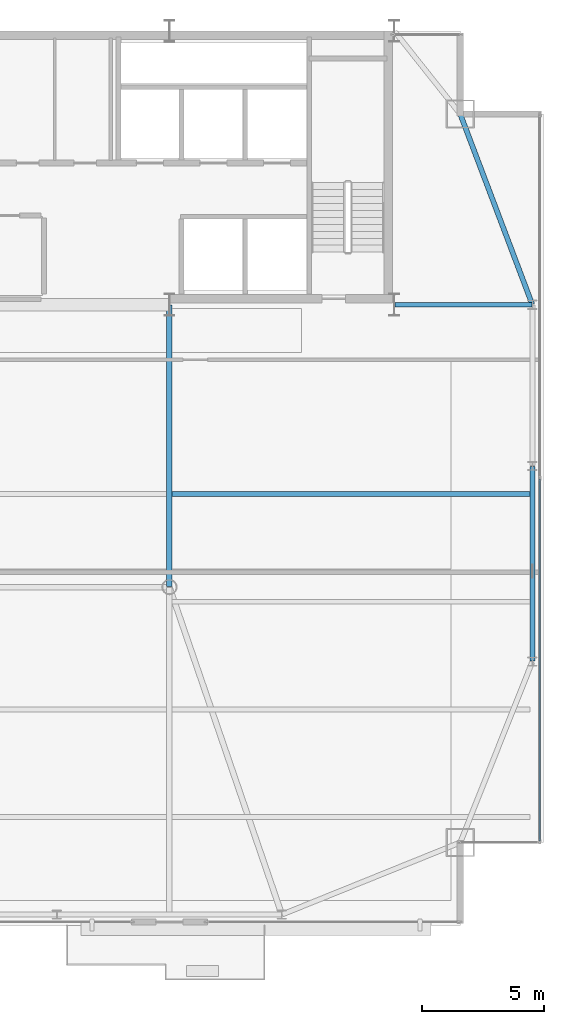
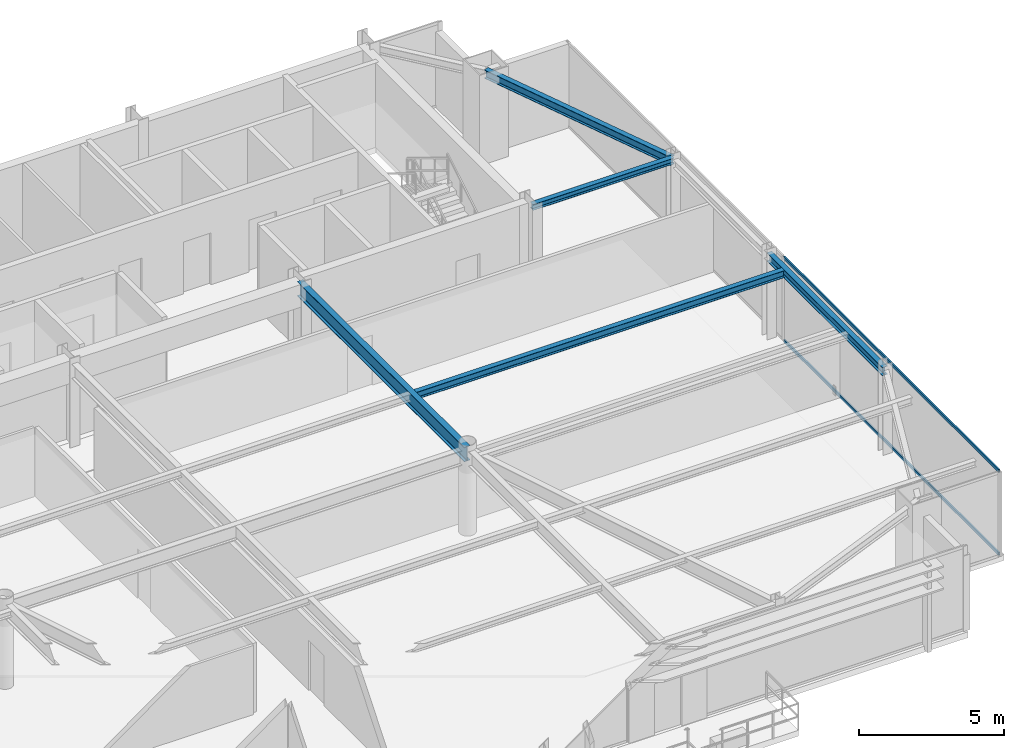
# One storey, part 18 of 30: 5 beams, 2 members, 1 element without a shape of its own.
"""IFC4 building model written with IfcOpenShell, lengths in metres."""

from ifc_helpers import new_model, si_unit, direction, frame, origin, origin_2d, place, context, subcontext, project, spatial, hollow_rectangle, i_section, extrude, source, transform, mapped, material, layer, layer_set, material_profile, profile_set, type_object, type_shapes, element, aggregate, save


model = new_model("IFC4")

# Units and contexts
model_context = context("Model", 3, precision=1e-05, world=origin(), true_north=direction((0.0, 1.0)))
body_context = subcontext(model_context, "Body", "Model", "MODEL_VIEW")
ifc_project = project(units=[si_unit("LENGTHUNIT", "METRE"), si_unit("AREAUNIT", "SQUARE_METRE"), si_unit("VOLUMEUNIT", "CUBIC_METRE"), si_unit("PLANEANGLEUNIT", "RADIAN"), si_unit("MASSUNIT", "GRAM", prefix="KILO")], contexts=[model_context])

# Site, building, storey
site_placement = place(None, origin())
site = spatial("IfcSite", under=ifc_project, at=site_placement, CompositionType="ELEMENT")
building_placement = place(site_placement, origin())
building = spatial("IfcBuilding", under=site, at=building_placement, Name="Varnel Quay Broadcast Tower", CompositionType="ELEMENT")
storey_placement = place(building_placement, frame((0.0, 0.0, 222.60009765625)))
storey = spatial("IfcBuildingStorey", under=building, at=storey_placement, Name="L55", CompositionType="ELEMENT", Elevation=222.60009765625)

# Beams
ifc_material_1 = material(Name="Structural Steel CSA G40.21 350W", Category="steel")
ifc_material_profile_1 = material_profile(ifc_material_1, i_section(OverallWidth=0.205078125, OverallDepth=0.35400390625, WebThickness=0.009521484375, FlangeThickness=0.016845703125, FilletRadius=0.012939453125, at=origin_2d()), Name="W360X79")
ifc_profile_set_1 = profile_set([ifc_material_profile_1], Name="Structural Steel CSA G40.21 350W")
beam_type_1 = type_object("IfcBeamType", Name="Beam_W360X79", PredefinedType="SPANDREL", material=ifc_profile_set_1)
shared_shape_1 = source(origin(), body_context, "Body", "SweptSolid", [
    extrude(i_section(OverallWidth=0.205078125, OverallDepth=0.35400390625, WebThickness=0.009521484375, FlangeThickness=0.016845703125, FilletRadius=0.012939453125, at=origin_2d()), origin(), (0.0, 0.0, 1.0), 7.9599609375),
])
beam_1_placement = place(storey_placement, frame((58.050048828125, 21.02001953125, 3.372802734375), z_axis=(0.0, 1.0, 0.0), x_axis=(-1.0, 0.0, 0.0)))
element("IfcBeam", 1, at=beam_1_placement, inside=storey, type_object=beam_type_1, Name="L55 East Spandrel TC-E1-TC-E2", PredefinedType="SPANDREL", context=body_context, shape_type="MappedRepresentation", body=[
    mapped(shared_shape_1, transform((0.0, 0.0, 0.0), x_axis=(1.0, 0.0, 0.0), y_axis=(0.0, 1.0, 0.0), z_axis=(0.0, 0.0, 1.0), scale=1.0)),
])
shared_shape_2 = source(origin(), body_context, "Body", "SweptSolid", [
    extrude(i_section(OverallWidth=0.205078125, OverallDepth=0.35400390625, WebThickness=0.009521484375, FlangeThickness=0.016845703125, FilletRadius=0.012939453125, at=origin_2d()), origin(), (0.0, 0.0, 1.0), 8.29931640625),
])
type_shapes(beam_type_1, [shared_shape_1, shared_shape_2])
beam_2_placement = place(storey_placement, frame((58.04296875, 35.61865234375, 3.372802734375), z_axis=(-0.353739782058, 0.935343876117, 0.0), x_axis=(-0.935343876117, -0.353739782058, 0.0)))
element("IfcBeam", 2, at=beam_2_placement, inside=storey, type_object=beam_type_1, Name="L55 East Spandrel TC-E3-MC-NE", PredefinedType="SPANDREL", context=body_context, shape_type="MappedRepresentation", body=[
    mapped(shared_shape_2, transform((0.0, 0.0, 0.0), x_axis=(1.0, 0.0, 0.0), y_axis=(0.0, 1.0, 0.0), z_axis=(0.0, 0.0, 1.0), scale=1.0)),
])
ifc_material_profile_2 = material_profile(ifc_material_1, i_section(OverallWidth=0.22998046875, OverallDepth=0.616943359375, WebThickness=0.01318359375, FlangeThickness=0.022216796875, FilletRadius=0.01611328125, at=origin_2d()), Name="W610X140")
ifc_profile_set_2 = profile_set([ifc_material_profile_2], Name="Structural Steel CSA G40.21 350W")
beam_type_2 = type_object("IfcBeamType", Name="Girder_W610X140", PredefinedType="BEAM", material=ifc_profile_set_2)
shared_shape_3 = source(origin(), body_context, "Body", "SweptSolid", [
    extrude(i_section(OverallWidth=0.22998046875, OverallDepth=0.616943359375, WebThickness=0.01318359375, FlangeThickness=0.022216796875, FilletRadius=0.01611328125, at=origin_2d()), origin(), (0.0, 0.0, 1.0), 11.510009765625),
])
type_shapes(beam_type_2, [shared_shape_3])
beam_3_placement = place(storey_placement, frame((43.199951171875, 24.070068359375, 3.241455078125), z_axis=(0.0, 1.0, 0.0), x_axis=(-1.0, 0.0, 0.0)))
element("IfcBeam", 3, at=beam_3_placement, inside=storey, type_object=beam_type_2, Name="L55 Primary Girder IC-02-CC-S4", PredefinedType="BEAM", context=body_context, shape_type="MappedRepresentation", body=[
    mapped(shared_shape_3, transform((0.0, 0.0, 0.0), x_axis=(1.0, 0.0, 0.0), y_axis=(0.0, 1.0, 0.0), z_axis=(0.0, 0.0, 1.0), scale=1.0)),
])
ifc_material_profile_3 = material_profile(ifc_material_1, i_section(OverallWidth=0.201904296875, OverallDepth=0.2470703125, WebThickness=0.00732421875, FlangeThickness=0.010986328125, FilletRadius=0.010986328125, at=origin_2d()), Name="W250X49")
ifc_profile_set_3 = profile_set([ifc_material_profile_3], Name="Structural Steel CSA G40.21 350W")
beam_type_3 = type_object("IfcBeamType", Name="Beam_W250X49", PredefinedType="JOIST", material=ifc_profile_set_3)
shared_shape_4 = source(origin(), body_context, "Body", "SweptSolid", [
    extrude(i_section(OverallWidth=0.201904296875, OverallDepth=0.2470703125, WebThickness=0.00732421875, FlangeThickness=0.010986328125, FilletRadius=0.010986328125, at=origin_2d()), origin(), (0.0, 0.0, 1.0), 5.610107421875),
])
type_shapes(beam_type_3, [shared_shape_4])
beam_4_placement = place(storey_placement, frame((52.419921875, 35.60009765625, 3.426513671875), z_axis=(1.0, 0.0, 0.0), x_axis=(0.0, 1.0, 0.0)))
element("IfcBeam", 4, at=beam_4_placement, inside=storey, type_object=beam_type_3, Name="L55 East Core Tie Joist", PredefinedType="JOIST", context=body_context, shape_type="MappedRepresentation", body=[
    mapped(shared_shape_4, transform((0.0, 0.0, 0.0), x_axis=(1.0, 0.0, 0.0), y_axis=(0.0, 1.0, 0.0), z_axis=(0.0, 0.0, 1.0), scale=1.0)),
])
ifc_material_profile_4 = material_profile(ifc_material_1, i_section(OverallWidth=0.202880859375, OverallDepth=0.302978515625, WebThickness=0.007568359375, FlangeThickness=0.01318359375, FilletRadius=0.011962890625, at=origin_2d()), Name="W310X60")
ifc_profile_set_4 = profile_set([ifc_material_profile_4], Name="Structural Steel CSA G40.21 350W")
beam_type_4 = type_object("IfcBeamType", Name="Beam_W310X60", PredefinedType="JOIST", material=ifc_profile_set_4)
shared_shape_5 = source(origin(), body_context, "Body", "SweptSolid", [
    extrude(i_section(OverallWidth=0.202880859375, OverallDepth=0.302978515625, WebThickness=0.007568359375, FlangeThickness=0.01318359375, FilletRadius=0.011962890625, at=origin_2d()), origin(), (0.0, 0.0, 1.0), 14.642333984375),
])
type_shapes(beam_type_4, [shared_shape_5])
beam_5_placement = place(storey_placement, frame((43.31005859375, 27.85009765625, 3.3984375), z_axis=(1.0, 0.0, 0.0), x_axis=(0.0, 1.0, 0.0)))
element("IfcBeam", 5, at=beam_5_placement, inside=storey, type_object=beam_type_4, Name="L55 East Floor Joist 4", PredefinedType="JOIST", context=body_context, shape_type="MappedRepresentation", body=[
    mapped(shared_shape_5, transform((0.0, 0.0, 0.0), x_axis=(1.0, 0.0, 0.0), y_axis=(0.0, 1.0, 0.0), z_axis=(0.0, 0.0, 1.0), scale=1.0)),
])

# Curtain wall, members
ifc_material_2 = material(Name="Anodised Bronze Aluminium 6063-T6", Category="aluminium")
ifc_layer = layer(ifc_material_2, 0.18994140625, Name="Anodised Bronze Aluminium 6063-T6")
ifc_layer_set = layer_set([ifc_layer], Name="Anodised Bronze Aluminium 6063-T6")
curtain_wall_type = type_object("IfcCurtainWallType", Name="CW_UpperTower", PredefinedType="NOTDEFINED", material=ifc_layer_set)
curtain_wall_placement = place(storey_placement, origin())
curtain_wall = element("IfcCurtainWall", 6, at=curtain_wall_placement, inside=storey, type_object=curtain_wall_type, Name="L55 East Unitised Curtain Wall", PredefinedType="NOTDEFINED")
ifc_material_profile_5 = material_profile(ifc_material_2, hollow_rectangle(XDim=0.06005859375, YDim=0.125, WallThickness=0.0029296875, at=origin_2d()), Name="ALU60X125X3")
ifc_profile_set_5 = profile_set([ifc_material_profile_5], Name="Anodised Bronze Aluminium 6063-T6")
member_type = type_object("IfcMemberType", Name="Tran_CWS-03", PredefinedType="USERDEFINED", material=ifc_profile_set_5)
shared_shape_6 = source(origin(), body_context, "Body", "SweptSolid", [
    extrude(hollow_rectangle(XDim=0.06005859375, YDim=0.125, WallThickness=0.0029296875, at=origin_2d()), origin(), (0.0, 0.0, 1.0), 14.802490234375),
])
type_shapes(member_type, [shared_shape_6])
member_1_placement = place(storey_placement, frame((58.35009765625, 13.6650390625, 0.02978515625), z_axis=(0.0, 1.0, 0.0), x_axis=(-1.0, 0.0, 0.0)))
member_1 = element("IfcMember", 7, at=member_1_placement, type_object=member_type, Name="CWS-03 transom 1.1", ObjectType="TRANSOM", PredefinedType="USERDEFINED", context=body_context, shape_type="MappedRepresentation", body=[
    mapped(shared_shape_6, transform((0.0, 0.0, 0.0), x_axis=(1.0, 0.0, 0.0), y_axis=(0.0, 1.0, 0.0), z_axis=(0.0, 0.0, 1.0), scale=1.0)),
])
member_2_placement = place(storey_placement, frame((58.35009765625, 13.6650390625, 3.52001953125), z_axis=(0.0, 1.0, 0.0), x_axis=(-1.0, 0.0, 0.0)))
member_2 = element("IfcMember", 8, at=member_2_placement, type_object=member_type, Name="CWS-03 transom 1.2", ObjectType="TRANSOM", PredefinedType="USERDEFINED", context=body_context, shape_type="MappedRepresentation", body=[
    mapped(shared_shape_6, transform((0.0, 0.0, 0.0), x_axis=(1.0, 0.0, 0.0), y_axis=(0.0, 1.0, 0.0), z_axis=(0.0, 0.0, 1.0), scale=1.0)),
])
aggregate(curtain_wall, [member_1, member_2])

save(model, "model.ifc")
